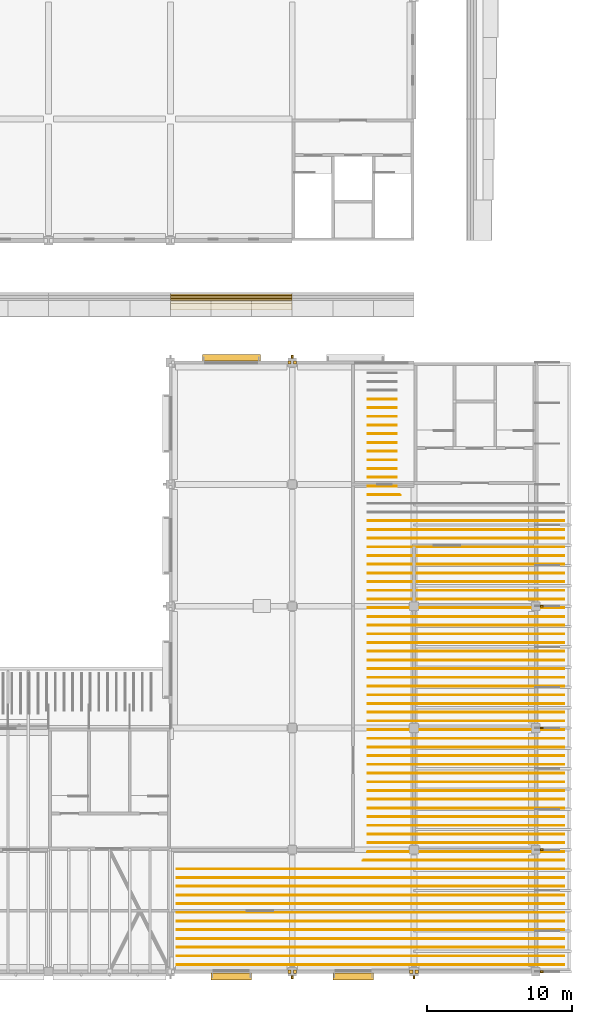
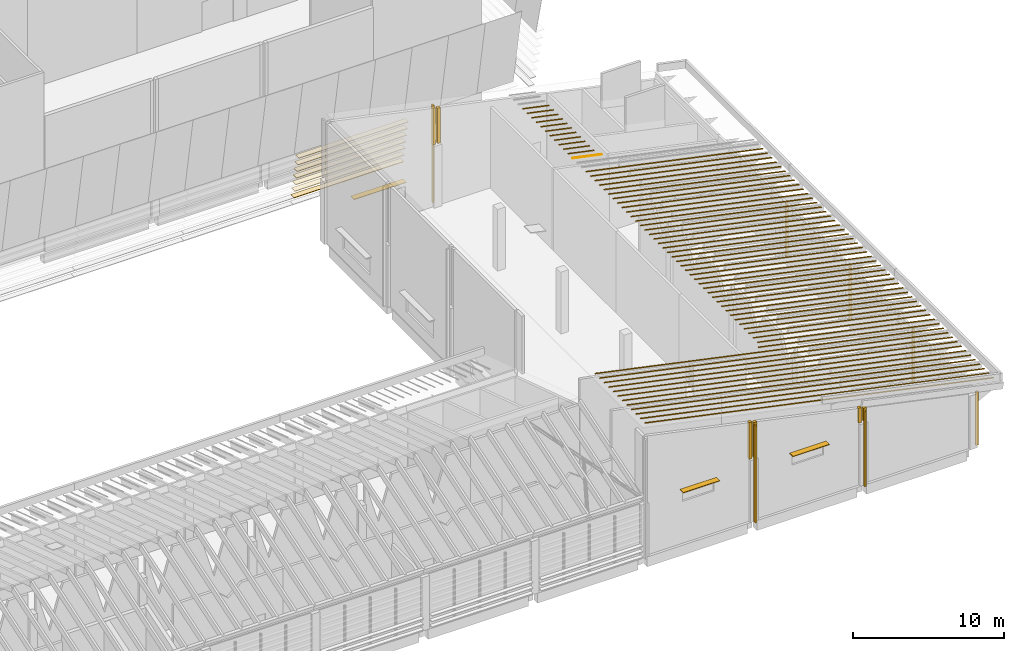
# One storey, part 57 of 59: 77 coverings, 10 shading devices.
"""IFC4 building model written with IfcOpenShell, lengths in metres."""

from ifc_helpers import new_model, si_unit, direction, frame, origin, origin_2d, place, context, subcontext, project, spatial, polyline, rectangle, outline, extrude, material, layer, layer_set, material_profile, profile_set, type_object, element, save


model = new_model("IFC4")

# Units and contexts
model_context = context("Model", 3, precision=1e-05, world=origin(), true_north=direction((0.0, 1.0)))
body_context = subcontext(model_context, "Body", "Model", "MODEL_VIEW")
ifc_project = project(units=[si_unit("LENGTHUNIT", "METRE"), si_unit("AREAUNIT", "SQUARE_METRE"), si_unit("VOLUMEUNIT", "CUBIC_METRE"), si_unit("PLANEANGLEUNIT", "RADIAN"), si_unit("MASSUNIT", "GRAM", prefix="KILO")], contexts=[model_context])

# Site, building, storey
site_placement = place(None, origin())
site = spatial("IfcSite", under=ifc_project, at=site_placement, CompositionType="ELEMENT")
building_placement = place(site_placement, origin())
building = spatial("IfcBuilding", under=site, at=building_placement, Name="Almond Square Museum", CompositionType="ELEMENT")
storey_placement = place(building_placement, frame((0.0, 0.0, 25.0)))
storey = spatial("IfcBuildingStorey", under=building, at=storey_placement, Name="L04", CompositionType="ELEMENT", Elevation=25.0)

# Coverings
ifc_material_1 = material(Name="Cedar timber louvre board", Category="wood")
ifc_material_profile_1 = material_profile(ifc_material_1, rectangle(XDim=0.449951171875, YDim=0.050048828125, at=origin_2d()))
ifc_profile_set_1 = profile_set([ifc_material_profile_1], Name="Cedar timber louvre board")
covering_type_1 = type_object("IfcCoveringType", Name="Louvre board 450 x 50", PredefinedType="CLADDING", material=ifc_profile_set_1)
for number, where, z_axis, x_axis, name in (
    (1, (132.0, 46.49658203125, 0.89990234375), (1.0, 0.0, 0.0), (0.0, 1.0, 0.0), "Louvre board S32.04"),
    (2, (132.0, 46.390625, 1.5), (1.0, 0.0, 0.0), (0.0, 1.0, 0.0), "Louvre board S33.04"),
    (3, (132.0, 46.284912109375, 2.10009765625), (1.0, 0.0, 0.0), (0.0, 1.0, 0.0), "Louvre board S34.04"),
    (4, (132.0, 46.17919921875, 2.699951171875), (1.0, 0.0, 0.0), (0.0, 1.0, 0.0), "Louvre board S35.04"),
    (5, (132.0, 46.0732421875, 3.300048828125), (1.0, 0.0, 0.0), (0.0, 1.0, 0.0), "Louvre board S36.04"),
    (6, (132.0, 45.967529296875, 3.89990234375), (1.0, 0.0, 0.0), (0.0, 1.0, 0.0), "Louvre board S37.04"),
    (7, (132.0, 45.86181640625, 4.5), (1.0, 0.0, 0.0), (0.0, 1.0, 0.0), "Louvre board S38.04"),
):
    element("IfcCovering", number, at=place(storey_placement, frame(where, z_axis=z_axis, x_axis=x_axis)), inside=storey, type_object=covering_type_1, Name=name, PredefinedType="CLADDING", context=body_context, shape_type="SweptSolid", body=[
        extrude(rectangle(XDim=0.449951171875, YDim=0.050048828125, at=origin_2d()), origin(), (0.0, 0.0, 1.0), 8.39990234375),
    ])
ifc_material_2 = material(Name="Zinc standing seam")
ifc_layer_1 = layer(ifc_material_2, 0.0400390625)
ifc_layer_set_1 = layer_set([ifc_layer_1], Name="Zinc standing seam")
covering_type_2 = type_object("IfcCoveringType", Name="Roof standing seam rib 60 x 40", PredefinedType="CLADDING", material=ifc_layer_set_1)
for number, where, z_axis, x_axis, name in (
    (8, (159.14990234375, 0.510009765625, 4.58544921875), (0.207913203307, 0.0, 0.978147279243), (-0.978147279243, 0.0, 0.207913203307), "Roof standing seam rib"),
    (9, (159.14990234375, 1.110107421875, 4.58544921875), (0.207913203307, 0.0, 0.978147279243), (-0.978147279243, 0.0, 0.207913203307), "Roof standing seam rib"),
    (10, (159.14990234375, 1.7099609375, 4.58544921875), (0.207913203307, 0.0, 0.978147279243), (-0.978147279243, 0.0, 0.207913203307), "Roof standing seam rib"),
    (11, (159.14990234375, 2.31005859375, 4.58544921875), (0.207913203307, 0.0, 0.978147279243), (-0.978147279243, 0.0, 0.207913203307), "Roof standing seam rib"),
):
    element("IfcCovering", number, at=place(storey_placement, frame(where, z_axis=z_axis, x_axis=x_axis)), inside=storey, type_object=covering_type_2, Name=name, PredefinedType="CLADDING", context=body_context, shape_type="SweptSolid", body=[
        extrude(outline(polyline([(0.0, 0.0), (27.29645293553088, 0.0), (27.29645293553088, 0.06005859374999999), (0.0, 0.06005859374999999), (0.0, 0.0)])), origin(), (0.0, 0.0, 1.0), 0.0400390625),
    ])
covering_1_placement = place(storey_placement, frame((159.14990234375, 2.909912109375, 4.58544921875), z_axis=(0.207913203307, 0.0, 0.978147279243), x_axis=(-0.978147279243, 0.0, 0.207913203307)))
element("IfcCovering", 12, at=covering_1_placement, inside=storey, type_object=covering_type_2, Name="Roof standing seam rib", PredefinedType="CLADDING", context=body_context, shape_type="SweptSolid", body=[
    extrude(outline(polyline([(0.0, 0.0), (27.29645293553088, 0.0), (27.29645293553088, 0.059814453125), (0.0, 0.059814453125), (0.0, 0.0)])), origin(), (0.0, 0.0, 1.0), 0.0400390625),
])
for number, where, z_axis, x_axis, name in (
    (13, (159.14990234375, 3.510009765625, 4.58544921875), (0.207913203307, 0.0, 0.978147279243), (-0.978147279243, 0.0, 0.207913203307), "Roof standing seam rib"),
    (14, (159.14990234375, 4.110107421875, 4.58544921875), (0.207913203307, 0.0, 0.978147279243), (-0.978147279243, 0.0, 0.207913203307), "Roof standing seam rib"),
    (15, (159.14990234375, 4.7099609375, 4.58544921875), (0.207913203307, 0.0, 0.978147279243), (-0.978147279243, 0.0, 0.207913203307), "Roof standing seam rib"),
    (16, (159.14990234375, 5.31005859375, 4.58544921875), (0.207913203307, 0.0, 0.978147279243), (-0.978147279243, 0.0, 0.207913203307), "Roof standing seam rib"),
):
    element("IfcCovering", number, at=place(storey_placement, frame(where, z_axis=z_axis, x_axis=x_axis)), inside=storey, type_object=covering_type_2, Name=name, PredefinedType="CLADDING", context=body_context, shape_type="SweptSolid", body=[
        extrude(outline(polyline([(0.0, 0.0), (27.29645293553088, 0.0), (27.29645293553088, 0.06005859374999999), (0.0, 0.06005859374999999), (0.0, 0.0)])), origin(), (0.0, 0.0, 1.0), 0.0400390625),
    ])
covering_2_placement = place(storey_placement, frame((159.14990234375, 5.909912109375, 4.58544921875), z_axis=(0.207913203307, 0.0, 0.978147279243), x_axis=(-0.978147279243, 0.0, 0.207913203307)))
element("IfcCovering", 17, at=covering_2_placement, inside=storey, type_object=covering_type_2, Name="Roof standing seam rib", PredefinedType="CLADDING", context=body_context, shape_type="SweptSolid", body=[
    extrude(outline(polyline([(0.0, 0.0), (27.29645293553088, 0.0), (27.29645293553088, 0.059814453125), (0.0, 0.059814453125), (0.0, 0.0)])), origin(), (0.0, 0.0, 1.0), 0.0400390625),
])
for number, where, z_axis, x_axis, name in (
    (18, (159.14990234375, 6.510009765625, 4.58544921875), (0.207913203307, 0.0, 0.978147279243), (-0.978147279243, 0.0, 0.207913203307), "Roof standing seam rib"),
    (19, (159.14990234375, 7.110107421875, 4.58544921875), (0.207913203307, 0.0, 0.978147279243), (-0.978147279243, 0.0, 0.207913203307), "Roof standing seam rib"),
):
    element("IfcCovering", number, at=place(storey_placement, frame(where, z_axis=z_axis, x_axis=x_axis)), inside=storey, type_object=covering_type_2, Name=name, PredefinedType="CLADDING", context=body_context, shape_type="SweptSolid", body=[
        extrude(outline(polyline([(0.0, 0.0), (27.29645293553088, 0.0), (27.29645293553088, 0.06005859374999999), (0.0, 0.06005859374999999), (0.0, 0.0)])), origin(), (0.0, 0.0, 1.0), 0.0400390625),
    ])
covering_3_placement = place(storey_placement, frame((159.14990234375, 7.64990234375, 4.58544921875), z_axis=(0.207921864338, 0.000735903948, 0.978145161403), x_axis=(-0.000153010562, 0.999999729223, -0.000719821081)))
element("IfcCovering", 20, at=covering_3_placement, inside=storey, type_object=covering_type_2, Name="Roof standing seam rib", PredefinedType="CLADDING", context=body_context, shape_type="SweptSolid", body=[
    extrude(outline(polyline([(0.0, 0.0), (0.060058577487493325, 0.0), (0.06005861001251108, 14.13632678461642), (-3.252501775069874e-08, 14.200491599114603), (0.0, 0.0)])), origin(), (0.0, 0.0, 1.0), 0.0400390625),
])
covering_4_placement = place(storey_placement, frame((159.14990234375, 8.25, 4.58544921875), z_axis=(0.207914557154, -0.000451355146, 0.978146887334), x_axis=(9.3843315e-05, 0.999999898139, 0.000441491676)))
element("IfcCovering", 21, at=covering_4_placement, inside=storey, type_object=covering_type_2, Name="Roof standing seam rib", PredefinedType="CLADDING", context=body_context, shape_type="SweptSolid", body=[
    extrude(outline(polyline([(0.0, 0.0), (0.06005858763238725, 0.0), (0.060058599867613374, 13.85702254918332), (-1.2235226126743395e-08, 13.865497256118203), (0.0, 0.0)])), origin(), (0.0, 0.0, 1.0), 0.0400390625),
])
covering_5_placement = place(storey_placement, frame((159.14990234375, 8.85009765625, 4.58544921875), z_axis=(0.207930421953, 0.0, 0.978143619121), x_axis=(0.0, 1.0, 0.0)))
element("IfcCovering", 22, at=covering_5_placement, inside=storey, type_object=covering_type_2, Name="Roof standing seam rib", PredefinedType="CLADDING", context=body_context, shape_type="SweptSolid", body=[
    extrude(outline(polyline([(0.0, 0.0), (0.059814453125, 0.0), (0.059814453125, 13.852571772313889), (0.0, 13.852571772313889), (0.0, 0.0)])), origin(), (0.0, 0.0, 1.0), 0.0400390625),
])
for number, where, z_axis, x_axis, name in (
    (23, (159.14990234375, 9.449951171875, 4.58544921875), (0.207930421953, 0.0, 0.978143619121), (0.0, 1.0, 0.0), "Roof standing seam rib"),
    (24, (159.14990234375, 10.050048828125, 4.58544921875), (0.207930421953, 0.0, 0.978143619121), (0.0, 1.0, 0.0), "Roof standing seam rib"),
    (25, (159.14990234375, 10.64990234375, 4.58544921875), (0.207930421953, 0.0, 0.978143619121), (0.0, 1.0, 0.0), "Roof standing seam rib"),
    (26, (159.14990234375, 11.25, 4.58544921875), (0.207930421953, 0.0, 0.978143619121), (0.0, 1.0, 0.0), "Roof standing seam rib"),
):
    element("IfcCovering", number, at=place(storey_placement, frame(where, z_axis=z_axis, x_axis=x_axis)), inside=storey, type_object=covering_type_2, Name=name, PredefinedType="CLADDING", context=body_context, shape_type="SweptSolid", body=[
        extrude(outline(polyline([(0.0, 0.0), (0.06005859375, 0.0), (0.06005859375, 13.852571772313889), (0.0, 13.852571772313889), (0.0, 0.0)])), origin(), (0.0, 0.0, 1.0), 0.0400390625),
    ])
covering_6_placement = place(storey_placement, frame((159.14990234375, 11.85009765625, 4.58544921875), z_axis=(0.207930421953, 0.0, 0.978143619121), x_axis=(0.0, 1.0, 0.0)))
element("IfcCovering", 27, at=covering_6_placement, inside=storey, type_object=covering_type_2, Name="Roof standing seam rib", PredefinedType="CLADDING", context=body_context, shape_type="SweptSolid", body=[
    extrude(outline(polyline([(0.0, 0.0), (0.059814453125, 0.0), (0.059814453125, 13.852571772313889), (0.0, 13.852571772313889), (0.0, 0.0)])), origin(), (0.0, 0.0, 1.0), 0.0400390625),
])
for number, where, z_axis, x_axis, name in (
    (28, (159.14990234375, 12.449951171875, 4.58544921875), (0.207930421953, 0.0, 0.978143619121), (0.0, 1.0, 0.0), "Roof standing seam rib"),
    (29, (159.14990234375, 13.050048828125, 4.58544921875), (0.207930421953, 0.0, 0.978143619121), (0.0, 1.0, 0.0), "Roof standing seam rib"),
    (30, (159.14990234375, 13.64990234375, 4.58544921875), (0.207930421953, 0.0, 0.978143619121), (0.0, 1.0, 0.0), "Roof standing seam rib"),
    (31, (159.14990234375, 14.25, 4.58544921875), (0.207930421953, 0.0, 0.978143619121), (0.0, 1.0, 0.0), "Roof standing seam rib"),
):
    element("IfcCovering", number, at=place(storey_placement, frame(where, z_axis=z_axis, x_axis=x_axis)), inside=storey, type_object=covering_type_2, Name=name, PredefinedType="CLADDING", context=body_context, shape_type="SweptSolid", body=[
        extrude(outline(polyline([(0.0, 0.0), (0.06005859375, 0.0), (0.06005859375, 13.852571772313889), (0.0, 13.852571772313889), (0.0, 0.0)])), origin(), (0.0, 0.0, 1.0), 0.0400390625),
    ])
covering_7_placement = place(storey_placement, frame((159.14990234375, 14.85009765625, 4.58544921875), z_axis=(0.207930421953, 0.0, 0.978143619121), x_axis=(0.0, 1.0, 0.0)))
element("IfcCovering", 32, at=covering_7_placement, inside=storey, type_object=covering_type_2, Name="Roof standing seam rib", PredefinedType="CLADDING", context=body_context, shape_type="SweptSolid", body=[
    extrude(outline(polyline([(0.0, 0.0), (0.059814453125, 0.0), (0.059814453125, 13.852571772313889), (0.0, 13.852571772313889), (0.0, 0.0)])), origin(), (0.0, 0.0, 1.0), 0.0400390625),
])
for number, where, z_axis, x_axis, name in (
    (33, (159.14990234375, 15.449951171875, 4.58544921875), (0.207930421953, 0.0, 0.978143619121), (0.0, 1.0, 0.0), "Roof standing seam rib"),
    (34, (159.14990234375, 16.050048828125, 4.58544921875), (0.207930421953, 0.0, 0.978143619121), (0.0, 1.0, 0.0), "Roof standing seam rib"),
    (35, (159.14990234375, 16.64990234375, 4.58544921875), (0.207930421953, 0.0, 0.978143619121), (0.0, 1.0, 0.0), "Roof standing seam rib"),
    (36, (159.14990234375, 17.25, 4.58544921875), (0.207930421953, 0.0, 0.978143619121), (0.0, 1.0, 0.0), "Roof standing seam rib"),
):
    element("IfcCovering", number, at=place(storey_placement, frame(where, z_axis=z_axis, x_axis=x_axis)), inside=storey, type_object=covering_type_2, Name=name, PredefinedType="CLADDING", context=body_context, shape_type="SweptSolid", body=[
        extrude(outline(polyline([(0.0, 0.0), (0.06005859375, 0.0), (0.06005859375, 13.852571772313889), (0.0, 13.852571772313889), (0.0, 0.0)])), origin(), (0.0, 0.0, 1.0), 0.0400390625),
    ])
covering_8_placement = place(storey_placement, frame((159.14990234375, 17.85009765625, 4.58544921875), z_axis=(0.207930421953, 0.0, 0.978143619121), x_axis=(0.0, 1.0, 0.0)))
element("IfcCovering", 37, at=covering_8_placement, inside=storey, type_object=covering_type_2, Name="Roof standing seam rib", PredefinedType="CLADDING", context=body_context, shape_type="SweptSolid", body=[
    extrude(outline(polyline([(0.0, 0.0), (0.059814453125, 0.0), (0.059814453125, 13.852571772313889), (0.0, 13.852571772313889), (0.0, 0.0)])), origin(), (0.0, 0.0, 1.0), 0.0400390625),
])
for number, where, z_axis, x_axis, name in (
    (38, (159.14990234375, 18.449951171875, 4.58544921875), (0.207930421953, 0.0, 0.978143619121), (0.0, 1.0, 0.0), "Roof standing seam rib"),
    (39, (159.14990234375, 19.050048828125, 4.58544921875), (0.207930421953, 0.0, 0.978143619121), (0.0, 1.0, 0.0), "Roof standing seam rib"),
    (40, (159.14990234375, 19.64990234375, 4.58544921875), (0.207930421953, 0.0, 0.978143619121), (0.0, 1.0, 0.0), "Roof standing seam rib"),
    (41, (159.14990234375, 20.25, 4.58544921875), (0.207930421953, 0.0, 0.978143619121), (0.0, 1.0, 0.0), "Roof standing seam rib"),
):
    element("IfcCovering", number, at=place(storey_placement, frame(where, z_axis=z_axis, x_axis=x_axis)), inside=storey, type_object=covering_type_2, Name=name, PredefinedType="CLADDING", context=body_context, shape_type="SweptSolid", body=[
        extrude(outline(polyline([(0.0, 0.0), (0.06005859375, 0.0), (0.06005859375, 13.852571772313889), (0.0, 13.852571772313889), (0.0, 0.0)])), origin(), (0.0, 0.0, 1.0), 0.0400390625),
    ])
covering_9_placement = place(storey_placement, frame((159.14990234375, 20.85009765625, 4.58544921875), z_axis=(0.207930421953, 0.0, 0.978143619121), x_axis=(0.0, 1.0, 0.0)))
element("IfcCovering", 42, at=covering_9_placement, inside=storey, type_object=covering_type_2, Name="Roof standing seam rib", PredefinedType="CLADDING", context=body_context, shape_type="SweptSolid", body=[
    extrude(outline(polyline([(0.0, 0.0), (0.059814453125, 0.0), (0.059814453125, 13.852571772313889), (0.0, 13.852571772313889), (0.0, 0.0)])), origin(), (0.0, 0.0, 1.0), 0.0400390625),
])
for number, where, z_axis, x_axis, name in (
    (43, (159.14990234375, 21.449951171875, 4.58544921875), (0.207930421953, 0.0, 0.978143619121), (0.0, 1.0, 0.0), "Roof standing seam rib"),
    (44, (159.14990234375, 22.050048828125, 4.58544921875), (0.207930421953, 0.0, 0.978143619121), (0.0, 1.0, 0.0), "Roof standing seam rib"),
    (45, (159.14990234375, 22.64990234375, 4.58544921875), (0.207930421953, 0.0, 0.978143619121), (0.0, 1.0, 0.0), "Roof standing seam rib"),
    (46, (159.14990234375, 23.25, 4.58544921875), (0.207930421953, 0.0, 0.978143619121), (0.0, 1.0, 0.0), "Roof standing seam rib"),
):
    element("IfcCovering", number, at=place(storey_placement, frame(where, z_axis=z_axis, x_axis=x_axis)), inside=storey, type_object=covering_type_2, Name=name, PredefinedType="CLADDING", context=body_context, shape_type="SweptSolid", body=[
        extrude(outline(polyline([(0.0, 0.0), (0.06005859375, 0.0), (0.06005859375, 13.852571772313889), (0.0, 13.852571772313889), (0.0, 0.0)])), origin(), (0.0, 0.0, 1.0), 0.0400390625),
    ])
covering_10_placement = place(storey_placement, frame((159.14990234375, 23.85009765625, 4.58544921875), z_axis=(0.207930421953, 0.0, 0.978143619121), x_axis=(0.0, 1.0, 0.0)))
element("IfcCovering", 47, at=covering_10_placement, inside=storey, type_object=covering_type_2, Name="Roof standing seam rib", PredefinedType="CLADDING", context=body_context, shape_type="SweptSolid", body=[
    extrude(outline(polyline([(0.0, 0.0), (0.059814453125, 0.0), (0.059814453125, 13.852571772313889), (0.0, 13.852571772313889), (0.0, 0.0)])), origin(), (0.0, 0.0, 1.0), 0.0400390625),
])
for number, where, z_axis, x_axis, name in (
    (48, (159.14990234375, 24.449951171875, 4.58544921875), (0.207930421953, 0.0, 0.978143619121), (0.0, 1.0, 0.0), "Roof standing seam rib"),
    (49, (159.14990234375, 25.050048828125, 4.58544921875), (0.207930421953, 0.0, 0.978143619121), (0.0, 1.0, 0.0), "Roof standing seam rib"),
    (50, (159.14990234375, 25.64990234375, 4.58544921875), (0.207930421953, 0.0, 0.978143619121), (0.0, 1.0, 0.0), "Roof standing seam rib"),
    (51, (159.14990234375, 26.25, 4.58544921875), (0.207930421953, 0.0, 0.978143619121), (0.0, 1.0, 0.0), "Roof standing seam rib"),
):
    element("IfcCovering", number, at=place(storey_placement, frame(where, z_axis=z_axis, x_axis=x_axis)), inside=storey, type_object=covering_type_2, Name=name, PredefinedType="CLADDING", context=body_context, shape_type="SweptSolid", body=[
        extrude(outline(polyline([(0.0, 0.0), (0.06005859375, 0.0), (0.06005859375, 13.852571772313889), (0.0, 13.852571772313889), (0.0, 0.0)])), origin(), (0.0, 0.0, 1.0), 0.0400390625),
    ])
covering_11_placement = place(storey_placement, frame((159.14990234375, 26.85009765625, 4.58544921875), z_axis=(0.207930421953, 0.0, 0.978143619121), x_axis=(0.0, 1.0, 0.0)))
element("IfcCovering", 52, at=covering_11_placement, inside=storey, type_object=covering_type_2, Name="Roof standing seam rib", PredefinedType="CLADDING", context=body_context, shape_type="SweptSolid", body=[
    extrude(outline(polyline([(0.0, 0.0), (0.059814453125, 0.0), (0.059814453125, 13.852571772313889), (0.0, 13.852571772313889), (0.0, 0.0)])), origin(), (0.0, 0.0, 1.0), 0.0400390625),
])
for number, where, z_axis, x_axis, name in (
    (53, (159.14990234375, 27.449951171875, 4.58544921875), (0.207930421953, 0.0, 0.978143619121), (0.0, 1.0, 0.0), "Roof standing seam rib"),
    (54, (159.14990234375, 28.050048828125, 4.58544921875), (0.207930421953, 0.0, 0.978143619121), (0.0, 1.0, 0.0), "Roof standing seam rib"),
    (55, (159.14990234375, 28.64990234375, 4.58544921875), (0.207930421953, 0.0, 0.978143619121), (0.0, 1.0, 0.0), "Roof standing seam rib"),
    (56, (159.14990234375, 29.25, 4.58544921875), (0.207930421953, 0.0, 0.978143619121), (0.0, 1.0, 0.0), "Roof standing seam rib"),
):
    element("IfcCovering", number, at=place(storey_placement, frame(where, z_axis=z_axis, x_axis=x_axis)), inside=storey, type_object=covering_type_2, Name=name, PredefinedType="CLADDING", context=body_context, shape_type="SweptSolid", body=[
        extrude(outline(polyline([(0.0, 0.0), (0.06005859375, 0.0), (0.06005859375, 13.852571772313889), (0.0, 13.852571772313889), (0.0, 0.0)])), origin(), (0.0, 0.0, 1.0), 0.0400390625),
    ])
covering_12_placement = place(storey_placement, frame((159.14990234375, 29.85009765625, 4.58544921875), z_axis=(0.207930421953, 0.0, 0.978143619121), x_axis=(0.0, 1.0, 0.0)))
element("IfcCovering", 57, at=covering_12_placement, inside=storey, type_object=covering_type_2, Name="Roof standing seam rib", PredefinedType="CLADDING", context=body_context, shape_type="SweptSolid", body=[
    extrude(outline(polyline([(0.0, 0.0), (0.059814453125, 0.0), (0.059814453125, 13.852571772313889), (0.0, 13.852571772313889), (0.0, 0.0)])), origin(), (0.0, 0.0, 1.0), 0.0400390625),
])
for number, where, z_axis, x_axis, name in (
    (58, (159.14990234375, 30.449951171875, 4.58544921875), (0.207930421953, 0.0, 0.978143619121), (0.0, 1.0, 0.0), "Roof standing seam rib"),
    (59, (159.14990234375, 31.050048828125, 4.58544921875), (0.207930421953, 0.0, 0.978143619121), (0.0, 1.0, 0.0), "Roof standing seam rib"),
):
    element("IfcCovering", number, at=place(storey_placement, frame(where, z_axis=z_axis, x_axis=x_axis)), inside=storey, type_object=covering_type_2, Name=name, PredefinedType="CLADDING", context=body_context, shape_type="SweptSolid", body=[
        extrude(outline(polyline([(0.0, 0.0), (0.06005859375, 0.0), (0.06005859375, 13.852571772313889), (0.0, 13.852571772313889), (0.0, 0.0)])), origin(), (0.0, 0.0, 1.0), 0.0400390625),
    ])
covering_13_placement = place(storey_placement, frame((147.864013671875, 32.85009765625, 6.984375), z_axis=(0.207993766677, -0.000596333222, 0.97812996959), x_axis=(-0.591613064304, 0.79626953339, 0.126288607319)))
element("IfcCovering", 60, at=covering_13_placement, inside=storey, type_object=covering_type_2, Name="Roof standing seam rib", PredefinedType="CLADDING", context=body_context, shape_type="SweptSolid", body=[
    extrude(outline(polyline([(0.0, 0.0), (0.07511837623766915, 3.0357660829594124e-18), (1.4477917760273868, 1.8068154462483725), (1.4001633493475392, 1.8429997039075119), (0.0, 0.0)])), origin(), (0.0, 0.0, 1.0), 0.0400390625),
])
covering_14_placement = place(storey_placement, frame((147.6044921875, 33.510009765625, 7.03955078125), z_axis=(0.207997428396, 0.000628637919, 0.978129170711), x_axis=(-0.97812936398, -1.1582e-08, 0.207997469502)))
element("IfcCovering", 61, at=covering_14_placement, inside=storey, type_object=covering_type_2, Name="Roof standing seam rib", PredefinedType="CLADDING", context=body_context, shape_type="SweptSolid", body=[
    extrude(outline(polyline([(0.0, 0.0), (2.049220131843222, 0.0), (2.0492201325388275, 0.06005858188285211), (-0.006223930321733804, 0.06005862942353462), (0.0, 0.0)])), origin(), (0.0, 0.0, 1.0), 0.0400390625),
])
for number, where, z_axis, x_axis, name in (
    (62, (147.60009765625, 34.050048828125, 7.04052734375), (0.207995844017, 0.0, 0.978129709636), (0.0, 1.0, 0.0), "Roof standing seam rib"),
    (63, (147.60009765625, 34.64990234375, 7.04052734375), (0.207995844017, 0.0, 0.978129709636), (0.0, 1.0, 0.0), "Roof standing seam rib"),
    (64, (147.60009765625, 35.25, 7.04052734375), (0.207995844017, 0.0, 0.978129709636), (0.0, 1.0, 0.0), "Roof standing seam rib"),
):
    element("IfcCovering", number, at=place(storey_placement, frame(where, z_axis=z_axis, x_axis=x_axis)), inside=storey, type_object=covering_type_2, Name=name, PredefinedType="CLADDING", context=body_context, shape_type="SweptSolid", body=[
        extrude(outline(polyline([(0.0, 0.0), (0.06005859375, 0.0), (0.06005859375, 2.0447185892606807), (0.0, 2.0447185892606807), (0.0, 0.0)])), origin(), (0.0, 0.0, 1.0), 0.0400390625),
    ])
covering_15_placement = place(storey_placement, frame((147.60009765625, 35.85009765625, 7.04052734375), z_axis=(0.207995844017, 0.0, 0.978129709636), x_axis=(0.0, 1.0, 0.0)))
element("IfcCovering", 65, at=covering_15_placement, inside=storey, type_object=covering_type_2, Name="Roof standing seam rib", PredefinedType="CLADDING", context=body_context, shape_type="SweptSolid", body=[
    extrude(outline(polyline([(0.0, 0.0), (0.059814453125, 0.0), (0.059814453125, 2.0447185892606807), (0.0, 2.0447185892606807), (0.0, 0.0)])), origin(), (0.0, 0.0, 1.0), 0.0400390625),
])
for number, where, z_axis, x_axis, name in (
    (66, (147.60009765625, 36.449951171875, 7.04052734375), (0.207995844017, 0.0, 0.978129709636), (0.0, 1.0, 0.0), "Roof standing seam rib"),
    (67, (147.60009765625, 37.050048828125, 7.04052734375), (0.207995844017, 0.0, 0.978129709636), (0.0, 1.0, 0.0), "Roof standing seam rib"),
    (68, (147.60009765625, 37.64990234375, 7.04052734375), (0.207995844017, 0.0, 0.978129709636), (0.0, 1.0, 0.0), "Roof standing seam rib"),
    (69, (147.60009765625, 38.25, 7.04052734375), (0.207995844017, 0.0, 0.978129709636), (0.0, 1.0, 0.0), "Roof standing seam rib"),
):
    element("IfcCovering", number, at=place(storey_placement, frame(where, z_axis=z_axis, x_axis=x_axis)), inside=storey, type_object=covering_type_2, Name=name, PredefinedType="CLADDING", context=body_context, shape_type="SweptSolid", body=[
        extrude(outline(polyline([(0.0, 0.0), (0.06005859375, 0.0), (0.06005859375, 2.0447185892606807), (0.0, 2.0447185892606807), (0.0, 0.0)])), origin(), (0.0, 0.0, 1.0), 0.0400390625),
    ])
covering_16_placement = place(storey_placement, frame((147.60009765625, 38.85009765625, 7.04052734375), z_axis=(0.207995844017, 0.0, 0.978129709636), x_axis=(0.0, 1.0, 0.0)))
element("IfcCovering", 70, at=covering_16_placement, inside=storey, type_object=covering_type_2, Name="Roof standing seam rib", PredefinedType="CLADDING", context=body_context, shape_type="SweptSolid", body=[
    extrude(outline(polyline([(0.0, 0.0), (0.059814453125, 0.0), (0.059814453125, 2.0447185892606807), (0.0, 2.0447185892606807), (0.0, 0.0)])), origin(), (0.0, 0.0, 1.0), 0.0400390625),
])
covering_17_placement = place(storey_placement, frame((147.60009765625, 39.449951171875, 7.04052734375), z_axis=(0.207995844017, 0.0, 0.978129709636), x_axis=(0.0, 1.0, 0.0)))
element("IfcCovering", 71, at=covering_17_placement, inside=storey, type_object=covering_type_2, Name="Roof standing seam rib", PredefinedType="CLADDING", context=body_context, shape_type="SweptSolid", body=[
    extrude(outline(polyline([(0.0, 0.0), (0.06005859375, 0.0), (0.06005859375, 2.0447185892606807), (0.0, 2.0447185892606807), (0.0, 0.0)])), origin(), (0.0, 0.0, 1.0), 0.0400390625),
])

# Shading devices
ifc_material_3 = material(Name="Anodised aluminium", Category="aluminium")
ifc_material_profile_2 = material_profile(ifc_material_3, rectangle(XDim=0.449951171875, YDim=0.050048828125, at=origin_2d()))
ifc_profile_set_2 = profile_set([ifc_material_profile_2], Name="Anodised aluminium")
shading_device_type_1 = type_object("IfcShadingDeviceType", Name="Sun-shade blade 450 x 50", PredefinedType="USERDEFINED", material=ifc_profile_set_2)
for number, where, z_axis, x_axis, name in (
    (72, (134.800048828125, -0.3330078125, 4.419921875), (1.0, 0.0, 0.0), (0.0, 1.0, 0.0), "Sun-shade blade"),
    (73, (143.199951171875, -0.3330078125, 4.419921875), (1.0, 0.0, 0.0), (0.0, 1.0, 0.0), "Sun-shade blade"),
):
    element("IfcShadingDevice", number, at=place(storey_placement, frame(where, z_axis=z_axis, x_axis=x_axis)), inside=storey, type_object=shading_device_type_1, Name=name, ObjectType="LOUVRE", PredefinedType="USERDEFINED", context=body_context, shape_type="SweptSolid", body=[
        extrude(rectangle(XDim=0.449951171875, YDim=0.050048828125, at=origin_2d()), origin(), (0.0, 0.0, 1.0), 2.800048828125),
    ])
shading_device_1_placement = place(storey_placement, frame((134.199951171875, 42.3330078125, 2.52001953125), z_axis=(1.0, 0.0, 0.0), x_axis=(0.0, 1.0, 0.0)))
element("IfcShadingDevice", 74, at=shading_device_1_placement, inside=storey, type_object=shading_device_type_1, Name="Sun-shade blade", ObjectType="LOUVRE", PredefinedType="USERDEFINED", context=body_context, shape_type="SweptSolid", body=[
    extrude(rectangle(XDim=0.449951171875, YDim=0.050048828125, at=origin_2d()), origin(), (0.0, 0.0, 1.0), 4.0),
])
ifc_material_4 = material(Name="Anodised aluminium", Category="aluminium")
ifc_material_profile_3 = material_profile(ifc_material_4, rectangle(XDim=0.199951171875, YDim=0.1201171875, at=origin_2d()))
ifc_profile_set_3 = profile_set([ifc_material_profile_3], Name="Anodised aluminium")
shading_device_type_2 = type_object("IfcShadingDeviceType", Name="Vertical aluminium fin 200 x 120", PredefinedType="USERDEFINED", material=ifc_profile_set_3)
shading_device_2_placement = place(storey_placement, frame((140.39990234375, -0.39794921875, 0.0), z_axis=(0.0, 0.0, 1.0), x_axis=(0.0, -1.0, 0.0)))
element("IfcShadingDevice", 75, at=shading_device_2_placement, inside=storey, type_object=shading_device_type_2, Name="Vertical fin V5E L04 S02", ObjectType="FIN", PredefinedType="USERDEFINED", context=body_context, shape_type="SweptSolid", body=[
    extrude(rectangle(XDim=0.199951171875, YDim=0.1201171875, at=origin_2d()), origin(), (0.0, 0.0, 1.0), 7.860107421875),
])
shading_device_3_placement = place(storey_placement, frame((148.800048828125, -0.39794921875, 0.0), z_axis=(0.0, 0.0, 1.0), x_axis=(0.0, -1.0, 0.0)))
element("IfcShadingDevice", 76, at=shading_device_3_placement, inside=storey, type_object=shading_device_type_2, Name="Vertical fin V5E L04 S03", ObjectType="FIN", PredefinedType="USERDEFINED", context=body_context, shape_type="SweptSolid", body=[
    extrude(rectangle(XDim=0.199951171875, YDim=0.1201171875, at=origin_2d()), origin(), (0.0, 0.0, 1.0), 6.074462890625),
])
for number, where, z_axis, x_axis, name in (
    (77, (157.597900390625, 0.0, 0.0), (0.0, 0.0, 1.0), (1.0, 0.0, 0.0), "Vertical fin V5E L04 E01"),
    (78, (157.597900390625, 8.39990234375, 0.0), (0.0, 0.0, 1.0), (1.0, 0.0, 0.0), "Vertical fin V5E L04 E02"),
    (79, (157.597900390625, 16.800048828125, 0.0), (0.0, 0.0, 1.0), (1.0, 0.0, 0.0), "Vertical fin V5E L04 E03"),
    (80, (157.597900390625, 25.199951171875, 0.0), (0.0, 0.0, 1.0), (1.0, 0.0, 0.0), "Vertical fin V5E L04 E04"),
):
    element("IfcShadingDevice", number, at=place(storey_placement, frame(where, z_axis=z_axis, x_axis=x_axis)), inside=storey, type_object=shading_device_type_2, Name=name, ObjectType="FIN", PredefinedType="USERDEFINED", context=body_context, shape_type="SweptSolid", body=[
        extrude(rectangle(XDim=0.199951171875, YDim=0.1201171875, at=origin_2d()), origin(), (0.0, 0.0, 1.0), 4.352783203125),
    ])
shading_device_4_placement = place(storey_placement, frame((140.39990234375, 42.39794921875, 0.0), z_axis=(0.0, 0.0, 1.0), x_axis=(0.0, 1.0, 0.0)))
element("IfcShadingDevice", 81, at=shading_device_4_placement, inside=storey, type_object=shading_device_type_2, Name="Vertical fin V5E L04 N01", ObjectType="FIN", PredefinedType="USERDEFINED", context=body_context, shape_type="SweptSolid", body=[
    extrude(rectangle(XDim=0.199951171875, YDim=0.1201171875, at=origin_2d()), origin(), (0.0, 0.0, 1.0), 7.860107421875),
])

# Coverings
ifc_material_5 = material(Name="Cladding panel to match the wall")
ifc_layer_2 = layer(ifc_material_5, 0.050048828125)
ifc_layer_set_2 = layer_set([ifc_layer_2], Name="Cladding panel to match the wall")
covering_type_3 = type_object("IfcCoveringType", Name="Wall end closure panel", PredefinedType="CLADDING", material=ifc_layer_set_2)
covering_18_placement = place(storey_placement, frame((140.2099609375, 0.0, 5.0), z_axis=(0.0, 0.0, 1.0), x_axis=(1.0, 0.0, 0.0)))
element("IfcCovering", 82, at=covering_18_placement, inside=storey, type_object=covering_type_3, Name="Wall end closure panel", PredefinedType="CLADDING", context=body_context, shape_type="SweptSolid", body=[
    extrude(rectangle(XDim=0.219970703125, YDim=0.219970703125, at=origin_2d()), origin(), (0.0, 0.0, 1.0), 2.987548828125),
])
covering_19_placement = place(storey_placement, frame((140.590087890625, 0.0, 5.0), z_axis=(0.0, 0.0, 1.0), x_axis=(1.0, 0.0, 0.0)))
element("IfcCovering", 83, at=covering_19_placement, inside=storey, type_object=covering_type_3, Name="Wall end closure panel", PredefinedType="CLADDING", context=body_context, shape_type="SweptSolid", body=[
    extrude(rectangle(XDim=0.219970703125, YDim=0.219970703125, at=origin_2d()), origin(), (0.0, 0.0, 1.0), 2.860107421875),
])
covering_20_placement = place(storey_placement, frame((148.610107421875, 0.0, 5.0), z_axis=(0.0, 0.0, 1.0), x_axis=(1.0, 0.0, 0.0)))
element("IfcCovering", 84, at=covering_20_placement, inside=storey, type_object=covering_type_3, Name="Wall end closure panel", PredefinedType="CLADDING", context=body_context, shape_type="SweptSolid", body=[
    extrude(rectangle(XDim=0.219970703125, YDim=0.219970703125, at=origin_2d()), origin(), (0.0, 0.0, 1.0), 1.2021484375),
])
covering_21_placement = place(storey_placement, frame((148.989990234375, 0.0, 5.0), z_axis=(0.0, 0.0, 1.0), x_axis=(1.0, 0.0, 0.0)))
element("IfcCovering", 85, at=covering_21_placement, inside=storey, type_object=covering_type_3, Name="Wall end closure panel", PredefinedType="CLADDING", context=body_context, shape_type="SweptSolid", body=[
    extrude(rectangle(XDim=0.219970703125, YDim=0.219970703125, at=origin_2d()), origin(), (0.0, 0.0, 1.0), 1.07470703125),
])
covering_22_placement = place(storey_placement, frame((140.590087890625, 42.0, 5.0), z_axis=(0.0, 0.0, 1.0), x_axis=(1.0, 0.0, 0.0)))
element("IfcCovering", 86, at=covering_22_placement, inside=storey, type_object=covering_type_3, Name="Wall end closure panel", PredefinedType="CLADDING", context=body_context, shape_type="SweptSolid", body=[
    extrude(rectangle(XDim=0.219970703125, YDim=0.219970703125, at=origin_2d()), origin(), (0.0, 0.0, 1.0), 2.860107421875),
])
covering_23_placement = place(storey_placement, frame((140.2099609375, 42.0, 5.0), z_axis=(0.0, 0.0, 1.0), x_axis=(1.0, 0.0, 0.0)))
element("IfcCovering", 87, at=covering_23_placement, inside=storey, type_object=covering_type_3, Name="Wall end closure panel", PredefinedType="CLADDING", context=body_context, shape_type="SweptSolid", body=[
    extrude(rectangle(XDim=0.219970703125, YDim=0.219970703125, at=origin_2d()), origin(), (0.0, 0.0, 1.0), 2.987548828125),
])

save(model, "model.ifc")
